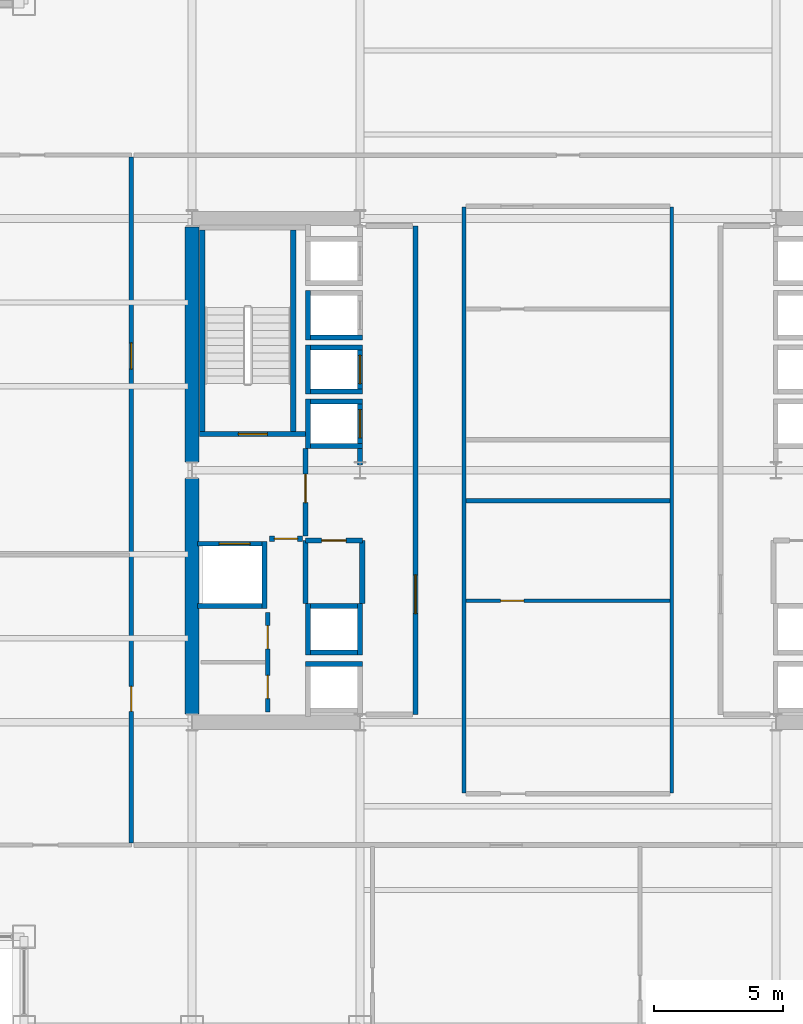
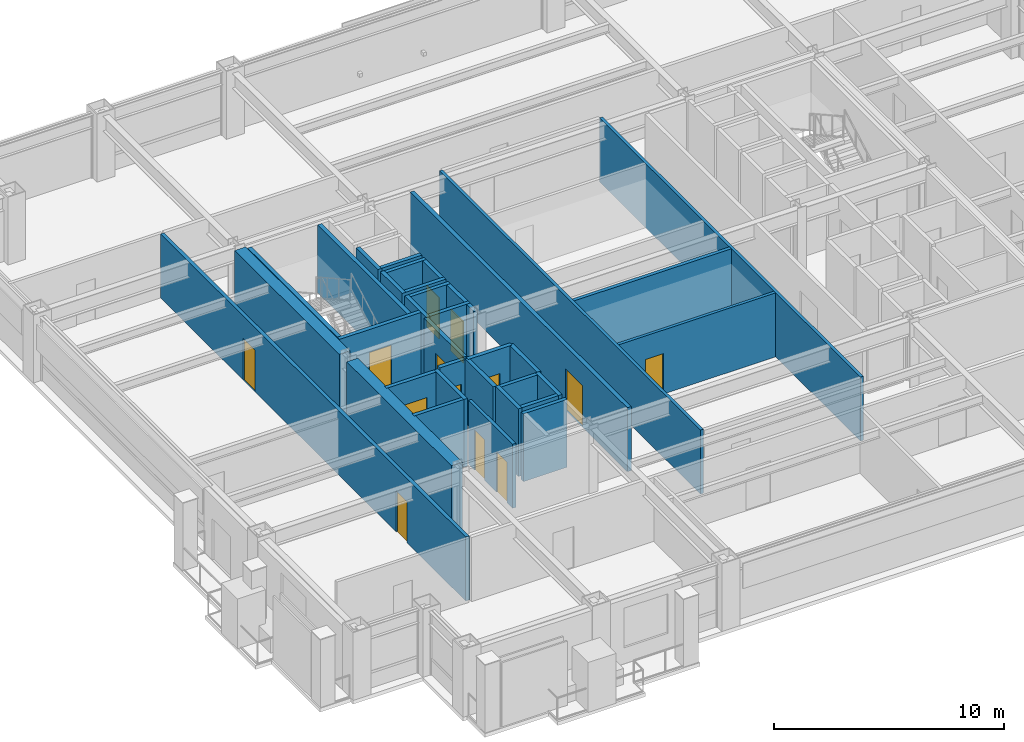
# One storey, part 23 of 29: 35 walls, 13 doors, 13 openings.
"""IFC4 building model written with IfcOpenShell, lengths in metres."""

import ifcopenshell
import ifcopenshell.guid

model = None  # the IFC model being written
_history = None  # IfcOwnerHistory: only IFC2X3 demands one
_inside = {}  # id of a spatial element -> (the spatial element, [elements in it])
_under = {}  # id of a project, library or spatial element -> (it, [spatial elements below it])
_declared = {}  # id of a project -> (the project, [libraries it declares])
_typed = {}  # id of a type object -> (the type object, [elements of that type])
_made_of = {}  # id of a material, layer set ... -> (it, [elements and type objects made of it])


def new_model(schema):
    """Start an empty IFC model of exactly this schema.

    Asked for "IFC4X3", IfcOpenShell would pick the latest addendum, in which some entities
    have other attributes; the version numbers below select the first issue.
    IFC2X3 requires an IfcOwnerHistory on every rooted entity: one is made here for all.
    """
    global model, _history
    if schema == "IFC4X3":
        model = ifcopenshell.file(schema_version=(4, 3, 0, 0))
    else:
        model = ifcopenshell.file(schema=schema)
    _inside.clear()
    _under.clear()
    _declared.clear()
    _typed.clear()
    _made_of.clear()
    _history = None
    if model.schema == "IFC2X3":
        org = make("IfcOrganization", Name="unknown")
        user = make(
            "IfcPersonAndOrganization",
            ThePerson=make("IfcPerson", FamilyName="unknown"),
            TheOrganization=org,
        )
        app = make(
            "IfcApplication",
            ApplicationDeveloper=org,
            Version="unknown",
            ApplicationFullName="unknown",
            ApplicationIdentifier="unknown",
        )
        _history = make(
            "IfcOwnerHistory",
            OwningUser=user,
            OwningApplication=app,
            ChangeAction="ADDED",
            CreationDate=0,
        )
    return model


def make(cls, **values):
    """One entity of the class cls with the attributes given. An attribute that is None is left unset."""
    return model.create_entity(
        cls, **{name: value for name, value in values.items() if value is not None}
    )


def rooted(cls, **values):
    """An entity with a GlobalId (a new one), such as an element, a storey or a relation."""
    return make(cls, GlobalId=ifcopenshell.guid.new(), OwnerHistory=_history, **values)


def si_unit(unit_type, name, prefix=None):
    """IfcSIUnit, for example si_unit("LENGTHUNIT", "METRE", prefix="MILLI")."""
    return make("IfcSIUnit", UnitType=unit_type, Prefix=prefix, Name=name)


def assignment(units):
    """IfcUnitAssignment: the units of a project."""
    return None if units is None else make("IfcUnitAssignment", Units=units)


def point(xyz):
    """IfcCartesianPoint."""
    return None if xyz is None else make("IfcCartesianPoint", Coordinates=xyz)


def direction(xyz):
    """IfcDirection."""
    return None if xyz is None else make("IfcDirection", DirectionRatios=xyz)


def frame(location, z_axis=None, x_axis=None):
    """IfcAxis2Placement3D, a coordinate frame: its origin and axes. An axis left out is left unset."""
    return make(
        "IfcAxis2Placement3D",
        Location=point(location),
        Axis=direction(z_axis),
        RefDirection=direction(x_axis),
    )


def frame_2d(location, x_axis=None):
    """IfcAxis2Placement2D, a coordinate frame in the plane: its origin and x axis."""
    return make(
        "IfcAxis2Placement2D", Location=point(location), RefDirection=direction(x_axis)
    )


def origin():
    """The frame at (0, 0, 0) with its axes left unset."""
    return frame((0.0, 0.0, 0.0))


def place(relative_to, where):
    """IfcLocalPlacement: puts the frame where relative to a parent placement (None: the world)."""
    return make(
        "IfcLocalPlacement", PlacementRelTo=relative_to, RelativePlacement=where
    )


def context(
    kind, dimensions, precision=None, world=None, true_north=None, identifier=None
):
    """IfcGeometricRepresentationContext, for example the 3D "Model" context."""
    return make(
        "IfcGeometricRepresentationContext",
        ContextIdentifier=identifier,
        ContextType=kind,
        CoordinateSpaceDimension=dimensions,
        Precision=precision,
        WorldCoordinateSystem=world,
        TrueNorth=true_north,
    )


def subcontext(parent, identifier, kind, view, scale=None):
    """IfcGeometricRepresentationSubContext, for example "Body" below "Model"."""
    return make(
        "IfcGeometricRepresentationSubContext",
        ContextIdentifier=identifier,
        ContextType=kind,
        ParentContext=parent,
        TargetScale=scale,
        TargetView=view,
    )


def project(units=None, contexts=None):
    """IfcProject with its units and contexts."""
    return rooted(
        "IfcProject",
        Name="project",
        RepresentationContexts=contexts,
        UnitsInContext=assignment(units),
    )


def spatial(cls, under=None, at=None, **own):
    """A site, building, storey or space (cls), placed at a placement, below another one or the project."""
    s = rooted(cls, ObjectPlacement=at, **own)
    if under is not None:
        _under.setdefault(under.id(), (under, []))[1].append(s)
    return s


def profile(cls, at=None, kind="AREA", **sizes):
    """A parametric profile (cls). Its sizes go by their IFC names, for example OverallWidth=200.0."""
    return make(cls, ProfileType=kind, Position=at, **sizes)


def rectangle(**sizes):
    """IfcRectangleProfileDef."""
    return profile("IfcRectangleProfileDef", **sizes)


def extrude(swept, where, along, depth):
    """IfcExtrudedAreaSolid: the profile swept, set in the frame where, extruded along a direction by depth."""
    return make(
        "IfcExtrudedAreaSolid",
        SweptArea=swept,
        Position=where,
        ExtrudedDirection=direction(along),
        Depth=depth,
    )


def shape(context_of_items, identifier, shape_type, items):
    """IfcShapeRepresentation: the items that make up one representation, for example the "Body"."""
    return make(
        "IfcShapeRepresentation",
        ContextOfItems=context_of_items,
        RepresentationIdentifier=identifier,
        RepresentationType=shape_type,
        Items=items,
    )


def material(Name=None, Category=None):
    """IfcMaterial."""
    return make("IfcMaterial", Name=Name, Category=Category)


def layer(
    of_material, thickness, ventilated=None, Name=None, Category=None, Priority=None
):
    """IfcMaterialLayer: one layer of a wall or slab, of a material (None: an air gap)."""
    return make(
        "IfcMaterialLayer",
        Material=of_material,
        LayerThickness=thickness,
        IsVentilated=ventilated,
        Name=Name,
        Category=Category,
        Priority=Priority,
    )


def layer_set(layers, Name=None):
    """IfcMaterialLayerSet."""
    return make("IfcMaterialLayerSet", MaterialLayers=layers, LayerSetName=Name)


def made_of(thing, what):
    """Note that an element or type object is made of a material, layer set ...; save() writes the relation."""
    if what is not None:
        _made_of.setdefault(what.id(), (what, []))[1].append(thing)
    return thing


def type_object(cls, material=None, **own):
    """A type object (cls), such as IfcWallType, which elements share."""
    return made_of(rooted(cls, **own), material)


def element(
    cls,
    number,
    at=None,
    inside=None,
    cuts=None,
    type_object=None,
    material=None,
    context=None,
    identifier="Body",
    shape_type=None,
    held_by="IfcProductDefinitionShape",
    body=None,
    shapes=None,
    **own,
):
    """One element of the class cls, such as IfcWall. Its Tag is "e" and its number.

    at: its placement. inside: the storey or other place that contains it. cuts: it is an
    opening in that element (IfcRelVoidsElement). A single representation is given by context,
    identifier, shape_type and body (its items); several are given by shapes. held_by: the class
    of the entity that holds the representations. save() writes the other relations.
    """
    e = rooted(cls, Tag="e%d" % number, ObjectPlacement=at, **own)
    if body is not None:
        shapes = [shape(context, identifier, shape_type, body)]
    if shapes is not None:
        e.Representation = make(held_by, Representations=shapes)
    if inside is not None:
        _inside.setdefault(inside.id(), (inside, []))[1].append(e)
    if cuts is not None:
        rooted(
            "IfcRelVoidsElement", RelatingBuildingElement=cuts, RelatedOpeningElement=e
        )
    if type_object is not None:
        _typed.setdefault(type_object.id(), (type_object, []))[1].append(e)
    return made_of(e, material)


def fill(opening, filler):
    """IfcRelFillsElement: the door or window that sits in an opening."""
    return rooted(
        "IfcRelFillsElement",
        RelatingOpeningElement=opening,
        RelatedBuildingElement=filler,
    )


def aggregate(whole, parts):
    """IfcRelAggregates: a whole, such as a stair, and the parts it consists of."""
    return rooted("IfcRelAggregates", RelatingObject=whole, RelatedObjects=parts)


def save(model, path):
    """Write the relations noted so far, then the file.

    IfcRelAggregates (storeys below a building ...), IfcRelContainedInSpatialStructure (elements
    in a storey), IfcRelDefinesByType, IfcRelAssociatesMaterial and IfcRelDeclares: one each for
    every whole, place, type object, material and project.
    """
    for whole, parts in _under.values():
        aggregate(whole, parts)
    for where, things in _inside.values():
        rooted(
            "IfcRelContainedInSpatialStructure",
            RelatedElements=things,
            RelatingStructure=where,
        )
    for kind, things in _typed.values():
        rooted("IfcRelDefinesByType", RelatedObjects=things, RelatingType=kind)
    for what, things in _made_of.values():
        rooted("IfcRelAssociatesMaterial", RelatedObjects=things, RelatingMaterial=what)
    for by, libraries in _declared.values():
        rooted("IfcRelDeclares", RelatingContext=by, RelatedDefinitions=libraries)
    model.write(path)


model = new_model("IFC4")

# Units and contexts
model_context = context("Model", 3, precision=1e-05, world=origin(), true_north=direction((0.0, 1.0)))
body_context = subcontext(model_context, "Body", "Model", "MODEL_VIEW")
ifc_project = project(units=[si_unit("LENGTHUNIT", "METRE"), si_unit("AREAUNIT", "SQUARE_METRE"), si_unit("VOLUMEUNIT", "CUBIC_METRE"), si_unit("PLANEANGLEUNIT", "RADIAN"), si_unit("MASSUNIT", "GRAM", prefix="KILO")], contexts=[model_context])

# Site, building, storey
site_placement = place(None, origin())
site = spatial("IfcSite", under=ifc_project, at=site_placement, CompositionType="ELEMENT")
building_placement = place(site_placement, origin())
building = spatial("IfcBuilding", under=site, at=building_placement, Name="Brelmoor Portico Tower", CompositionType="ELEMENT")
storey_placement = place(building_placement, frame((0.0, 0.0, 63.60009765625)))
storey = spatial("IfcBuildingStorey", under=building, at=storey_placement, Name="L16", CompositionType="ELEMENT", Elevation=63.60009765625)

# Walls
ifc_material_1 = material(Name="Concrete C60", Category="concrete")
ifc_layer_1 = layer(ifc_material_1, 0.550048828125)
ifc_layer_set_1 = layer_set([ifc_layer_1], Name="Concrete C60")
wall_type_1 = type_object("IfcWallType", Name="WL-CORE-550", PredefinedType="SHEAR", material=ifc_layer_set_1)
for number, where, z_axis, x_axis, name in (
    (1, (-14.550048828125, -9.425048828125, -0.2001953125), (0.0, 0.0, 1.0), (0.0, 1.0, 0.0), "L16 WC Outer South Shear Wall"),
    (2, (-14.550048828125, 0.324951171875, -0.2001953125), (0.0, 0.0, 1.0), (0.0, 1.0, 0.0), "L16 WC Outer North Shear Wall"),
):
    element("IfcWall", number, at=place(storey_placement, frame(where, z_axis=z_axis, x_axis=x_axis)), inside=storey, type_object=wall_type_1, Name=name, PredefinedType="SHEAR", context=body_context, shape_type="SweptSolid", body=[
        extrude(rectangle(XDim=9.10009765625, YDim=0.550048828125, at=frame_2d((4.550048828125, 0.0))), origin(), (0.0, 0.0, 1.0), 3.60009765625),
    ])
ifc_material_2 = material(Name="Wet-Area Moisture-Resistant Partition", Category="gypsum")
ifc_layer_2 = layer(ifc_material_2, 0.14990234375)
ifc_layer_set_2 = layer_set([ifc_layer_2], Name="Wet-Area Moisture-Resistant Partition")
wall_type_2 = type_object("IfcWallType", Name="WL-PART-150", PredefinedType="PARTITIONING", material=ifc_layer_set_2)
for number, where, z_axis, x_axis, name in (
    (3, (-4.02001953125, -12.5, 0.0), (0.0, 0.0, 1.0), (0.0, 1.0, 0.0), "L16 Central Suite West Wall"),
    (4, (4.02001953125, -12.5, 0.0), (0.0, 0.0, 1.0), (0.0, 1.0, 0.0), "L16 Central Suite East Wall"),
):
    element("IfcWall", number, at=place(storey_placement, frame(where, z_axis=z_axis, x_axis=x_axis)), inside=storey, type_object=wall_type_2, Name=name, PredefinedType="PARTITIONING", context=body_context, shape_type="SweptSolid", body=[
        extrude(rectangle(XDim=22.699951171875, YDim=0.14990234375, at=frame_2d((11.35009765625, 0.0))), origin(), (0.0, 0.0, 1.0), 3.39990234375),
    ])

# Wall, opening, door
wall_1_placement = place(storey_placement, frame((-3.949951171875, -5.050048828125, 0.0), z_axis=(0.0, 0.0, 1.0), x_axis=(1.0, 0.0, 0.0)))
wall_1 = element("IfcWall", 5, at=wall_1_placement, inside=storey, type_object=wall_type_2, Name="L16 Central Print Divider", PredefinedType="PARTITIONING", context=body_context, shape_type="SweptSolid", body=[
    extrude(rectangle(XDim=7.89990234375, YDim=0.14990234375, at=frame_2d((3.949951171875, 0.0))), origin(), (0.0, 0.0, 1.0), 3.39990234375),
])
opening_1_placement = place(wall_1_placement, frame((1.35009765625, 0.0, 0.0)))
opening_1 = element("IfcOpeningElement", 6, at=opening_1_placement, cuts=wall_1, Name="Opening D-IN1", PredefinedType="OPENING", context=body_context, shape_type="SweptSolid", body=[
    extrude(rectangle(XDim=0.89990234375, YDim=2.14990234375, at=frame_2d((0.449951171875, 1.074951171875))), frame((0.0, 0.0849609375, 0.0), z_axis=(0.0, -1.0, 0.0), x_axis=(1.0, 0.0, 0.0)), (0.0, 0.0, 1.0), 0.169921875),
])
ifc_material_3 = material(Name="Lacquered Timber Suite Door", Category="wood")
door_type_1 = type_object("IfcDoorType", Name="DR-INT-900", OperationType="NOTDEFINED", PredefinedType="DOOR", material=ifc_material_3)
door_1_placement = place(opening_1_placement, origin())
door_1 = element("IfcDoor", 7, at=door_1_placement, inside=storey, type_object=door_type_1, Name="D-0710 L16 Central Print Studio Door", OperationType="SINGLE_SWING_RIGHT", OverallHeight=2.14990234375, OverallWidth=0.89990234375, PredefinedType="DOOR", context=body_context, shape_type="SweptSolid", body=[
    extrude(rectangle(XDim=0.89990234375, YDim=2.14990234375, at=frame_2d((0.449951171875, 1.074951171875))), frame((0.0, 0.02490234375, 0.0), z_axis=(0.0, -1.0, 0.0), x_axis=(1.0, 0.0, 0.0)), (0.0, 0.0, 1.0), 0.050048828125),
])
fill(opening_1, door_1)

# Wall, openings, doors
ifc_material_4 = material(Name="Twin-Frame Acoustic Partition", Category="gypsum")
ifc_layer_3 = layer(ifc_material_4, 0.159912109375)
ifc_layer_set_3 = layer_set([ifc_layer_3], Name="Twin-Frame Acoustic Partition")
wall_type_3 = type_object("IfcWallType", Name="WL-PART-160", PredefinedType="PARTITIONING", material=ifc_layer_set_3)
wall_2_placement = place(storey_placement, frame((-11.6201171875, -9.35009765625, 0.0), z_axis=(0.0, 0.0, 1.0), x_axis=(0.0, 1.0, 0.0)))
wall_2 = element("IfcWall", 8, at=wall_2_placement, inside=storey, type_object=wall_type_3, Name="L16 W Core Service Front Wall", PredefinedType="PARTITIONING", context=body_context, shape_type="SweptSolid", body=[
    extrude(rectangle(XDim=3.85009765625, YDim=0.159912109375, at=frame_2d((1.925048828125, 0.0))), origin(), (0.0, 0.0, 1.0), 3.39990234375),
])
opening_2_placement = place(wall_2_placement, frame((0.512451171875, 0.0, 0.0)))
opening_2 = element("IfcOpeningElement", 9, at=opening_2_placement, cuts=wall_2, Name="Opening D-IN1", PredefinedType="OPENING", context=body_context, shape_type="SweptSolid", body=[
    extrude(rectangle(XDim=0.89990234375, YDim=2.14990234375, at=frame_2d((0.449951171875, 1.074951171875))), frame((0.0, 0.08984375, 0.0), z_axis=(0.0, -1.0, 0.0), x_axis=(1.0, 0.0, 0.0)), (0.0, 0.0, 1.0), 0.179931640625),
])
opening_3_placement = place(wall_2_placement, frame((2.4375, 0.0, 0.0)))
opening_3 = element("IfcOpeningElement", 10, at=opening_3_placement, cuts=wall_2, Name="Opening D-IN1", PredefinedType="OPENING", context=body_context, shape_type="SweptSolid", body=[
    extrude(rectangle(XDim=0.89990234375, YDim=2.14990234375, at=frame_2d((0.449951171875, 1.074951171875))), frame((0.0, 0.08984375, 0.0), z_axis=(0.0, -1.0, 0.0), x_axis=(1.0, 0.0, 0.0)), (0.0, 0.0, 1.0), 0.179931640625),
])
door_2_placement = place(opening_2_placement, origin())
door_2 = element("IfcDoor", 11, at=door_2_placement, inside=storey, type_object=door_type_1, Name="D-0715 L16 W Accessible WC Door", OperationType="SINGLE_SWING_RIGHT", OverallHeight=2.14990234375, OverallWidth=0.89990234375, PredefinedType="DOOR", context=body_context, shape_type="SweptSolid", body=[
    extrude(rectangle(XDim=0.89990234375, YDim=2.14990234375, at=frame_2d((0.449951171875, 1.074951171875))), frame((0.0, 0.02490234375, 0.0), z_axis=(0.0, -1.0, 0.0), x_axis=(1.0, 0.0, 0.0)), (0.0, 0.0, 1.0), 0.050048828125),
])
fill(opening_2, door_2)
door_3_placement = place(opening_3_placement, origin())
door_3 = element("IfcDoor", 12, at=door_3_placement, inside=storey, type_object=door_type_1, Name="D-0716 L16 W Staff WC Door", OperationType="SINGLE_SWING_LEFT", OverallHeight=2.14990234375, OverallWidth=0.89990234375, PredefinedType="DOOR", context=body_context, shape_type="SweptSolid", body=[
    extrude(rectangle(XDim=0.89990234375, YDim=2.14990234375, at=frame_2d((0.449951171875, 1.074951171875))), frame((0.0, 0.02490234375, 0.0), z_axis=(0.0, -1.0, 0.0), x_axis=(1.0, 0.0, 0.0)), (0.0, 0.0, 1.0), 0.050048828125),
])
fill(opening_3, door_3)

# Wall
ifc_material_5 = material(Name="Acoustic Corridor Fire Partition", Category="gypsum")
ifc_layer_4 = layer(ifc_material_5, 0.179931640625)
ifc_layer_set_4 = layer_set([ifc_layer_4], Name="Acoustic Corridor Fire Partition")
wall_type_4 = type_object("IfcWallType", Name="WL-PART-180", PredefinedType="PARTITIONING", material=ifc_layer_set_4)
wall_3_placement = place(storey_placement, frame((-3.949951171875, -1.179931640625, 0.0), z_axis=(0.0, 0.0, 1.0), x_axis=(1.0, 0.0, 0.0)))
element("IfcWall", 13, at=wall_3_placement, inside=storey, type_object=wall_type_4, Name="L16 Central Pantry North Wall", PredefinedType="PARTITIONING", context=body_context, shape_type="SweptSolid", body=[
    extrude(rectangle(XDim=7.89990234375, YDim=0.179931640625, at=frame_2d((3.949951171875, 0.0))), origin(), (0.0, 0.0, 1.0), 3.39990234375),
])

# Wall, openings, doors
wall_4_placement = place(storey_placement, frame((-16.89990234375, -14.419921875, 0.0), z_axis=(0.0, 0.0, 1.0), x_axis=(0.0, 1.0, 0.0)))
wall_4 = element("IfcWall", 14, at=wall_4_placement, inside=storey, type_object=wall_type_4, Name="L16 W Wing Corridor Wall", PredefinedType="PARTITIONING", context=body_context, shape_type="SweptSolid", body=[
    extrude(rectangle(XDim=26.5400390625, YDim=0.179931640625, at=frame_2d((13.27001953125, 0.0))), origin(), (0.0, 0.0, 1.0), 3.39990234375),
])
opening_4_placement = place(wall_4_placement, frame((5.093505859375, 0.0, 0.0)))
opening_4 = element("IfcOpeningElement", 15, at=opening_4_placement, cuts=wall_4, Name="Opening D-IN2", PredefinedType="OPENING", context=body_context, shape_type="SweptSolid", body=[
    extrude(rectangle(XDim=0.9599609375, YDim=2.179931640625, at=frame_2d((0.47998046875, 1.08984375))), frame((0.0, 0.099853515625, 0.0), z_axis=(0.0, -1.0, 0.0), x_axis=(1.0, 0.0, 0.0)), (0.0, 0.0, 1.0), 0.199951171875),
])
opening_5_placement = place(wall_4_placement, frame((18.33349609375, 0.0, 0.0)))
opening_5 = element("IfcOpeningElement", 16, at=opening_5_placement, cuts=wall_4, Name="Opening D-OF1", PredefinedType="OPENING", context=body_context, shape_type="SweptSolid", body=[
    extrude(rectangle(XDim=1.02001953125, YDim=2.199951171875, at=frame_2d((0.510009765625, 1.10009765625))), frame((0.0, 0.099853515625, 0.0), z_axis=(0.0, -1.0, 0.0), x_axis=(1.0, 0.0, 0.0)), (0.0, 0.0, 1.0), 0.199951171875),
])
door_type_2 = type_object("IfcDoorType", Name="DR-INT-950", OperationType="NOTDEFINED", PredefinedType="DOOR", material=ifc_material_3)
door_4_placement = place(opening_4_placement, origin())
door_4 = element("IfcDoor", 17, at=door_4_placement, inside=storey, type_object=door_type_2, Name="D-0744 L16 W Project Reception Concierge 1 Door", OperationType="SINGLE_SWING_LEFT", OverallHeight=2.179931640625, OverallWidth=0.9599609375, PredefinedType="DOOR", context=body_context, shape_type="SweptSolid", body=[
    extrude(rectangle(XDim=0.9599609375, YDim=2.179931640625, at=frame_2d((0.47998046875, 1.08984375))), frame((0.0, 0.02490234375, 0.0), z_axis=(0.0, -1.0, 0.0), x_axis=(1.0, 0.0, 0.0)), (0.0, 0.0, 1.0), 0.050048828125),
])
fill(opening_4, door_4)
ifc_material_6 = material(Name="Hardwood Acoustic Veneer Door", Category="wood")
door_type_3 = type_object("IfcDoorType", Name="DR-OFFICE-1000", OperationType="NOTDEFINED", PredefinedType="DOOR", material=ifc_material_6)
door_5_placement = place(opening_5_placement, origin())
door_5 = element("IfcDoor", 18, at=door_5_placement, inside=storey, type_object=door_type_3, Name="D-0745 L16 W Design Workshop 2 Door", OperationType="SINGLE_SWING_RIGHT", OverallHeight=2.199951171875, OverallWidth=1.02001953125, PredefinedType="DOOR", context=body_context, shape_type="SweptSolid", body=[
    extrude(rectangle(XDim=1.02001953125, YDim=2.199951171875, at=frame_2d((0.510009765625, 1.10009765625))), frame((0.0, 0.02490234375, 0.0), z_axis=(0.0, -1.0, 0.0), x_axis=(1.0, 0.0, 0.0)), (0.0, 0.0, 1.0), 0.050048828125),
])
fill(opening_5, door_5)

# Wall, opening, door
ifc_material_7 = material(Name="Double-Stud Gypsum Fire Partition", Category="gypsum")
ifc_layer_5 = layer(ifc_material_7, 0.199951171875)
ifc_layer_set_5 = layer_set([ifc_layer_5], Name="Double-Stud Gypsum Fire Partition")
wall_type_5 = type_object("IfcWallType", Name="WL-PART-200", PredefinedType="PARTITIONING", material=ifc_layer_set_5)
wall_5_placement = place(storey_placement, frame((-5.89990234375, -9.449951171875, 0.0), z_axis=(0.0, 0.0, 1.0), x_axis=(0.0, 1.0, 0.0)))
wall_5 = element("IfcWall", 19, at=wall_5_placement, inside=storey, type_object=wall_type_5, Name="L16 W Core Lobby Compartment Wall", PredefinedType="PARTITIONING", context=body_context, shape_type="SweptSolid", body=[
    extrude(rectangle(XDim=18.89990234375, YDim=0.199951171875, at=frame_2d((9.449951171875, 0.0))), origin(), (0.0, 0.0, 1.0), 3.39990234375),
])
opening_6_placement = place(wall_5_placement, frame((3.89990234375, 0.0, 0.0)))
opening_6 = element("IfcOpeningElement", 20, at=opening_6_placement, cuts=wall_5, Name="Opening D-LB1", PredefinedType="OPENING", context=body_context, shape_type="SweptSolid", body=[
    extrude(rectangle(XDim=1.5, YDim=2.199951171875, at=frame_2d((0.75, 1.10009765625))), frame((0.0, 0.10986328125, 0.0), z_axis=(0.0, -1.0, 0.0), x_axis=(1.0, 0.0, 0.0)), (0.0, 0.0, 1.0), 0.219970703125),
])
ifc_material_8 = material(Name="Double-Leaf Glazed Steel Fire Door", Category="steel")
door_type_4 = type_object("IfcDoorType", Name="DR-LOBBY-1500", OperationType="NOTDEFINED", PredefinedType="DOOR", material=ifc_material_8)
door_6_placement = place(opening_6_placement, origin())
door_6 = element("IfcDoor", 21, at=door_6_placement, inside=storey, type_object=door_type_4, Name="D-0722 L16 W Lift Lobby Main Door", OperationType="DOUBLE_DOOR_SINGLE_SWING", OverallHeight=2.199951171875, OverallWidth=1.5, PredefinedType="DOOR", context=body_context, shape_type="SweptSolid", body=[
    extrude(rectangle(XDim=1.5, YDim=2.199951171875, at=frame_2d((0.75, 1.10009765625))), frame((0.0, 0.02490234375, 0.0), z_axis=(0.0, -1.0, 0.0), x_axis=(1.0, 0.0, 0.0)), (0.0, 0.0, 1.0), 0.050048828125),
])
fill(opening_6, door_6)

wall_6_placement = place(storey_placement, frame((-10.159912109375, -2.550048828125, 0.0), z_axis=(0.0, 0.0, 1.0), x_axis=(0.0, 1.0, 0.0)))
wall_6 = element("IfcWall", 22, at=wall_6_placement, inside=storey, type_object=wall_type_5, Name="L16 W Firefighting Lobby Wall", PredefinedType="PARTITIONING", context=body_context, shape_type="SweptSolid", body=[
    extrude(rectangle(XDim=3.400146484375, YDim=0.199951171875, at=frame_2d((1.7001953125, 0.0))), origin(), (0.0, 0.0, 1.0), 3.39990234375),
])
opening_7_placement = place(wall_6_placement, frame((1.300048828125, 0.0, 0.0)))
opening_7 = element("IfcOpeningElement", 23, at=opening_7_placement, cuts=wall_6, Name="Opening D-FR1", PredefinedType="OPENING", context=body_context, shape_type="SweptSolid", body=[
    extrude(rectangle(XDim=1.10009765625, YDim=2.14990234375, at=frame_2d((0.550048828125, 1.074951171875))), frame((0.0, 0.10986328125, 0.0), z_axis=(0.0, -1.0, 0.0), x_axis=(1.0, 0.0, 0.0)), (0.0, 0.0, 1.0), 0.219970703125),
])
ifc_material_9 = material(Name="Painted Galvanised Steel Fire Door", Category="steel")
door_type_5 = type_object("IfcDoorType", Name="DR-FIRE-1100", OperationType="NOTDEFINED", PredefinedType="DOOR", material=ifc_material_9)
door_7_placement = place(opening_7_placement, origin())
door_7 = element("IfcDoor", 24, at=door_7_placement, inside=storey, type_object=door_type_5, Name="D-0720 L16 W Firefighting Lobby Door", OperationType="SINGLE_SWING_LEFT", OverallHeight=2.14990234375, OverallWidth=1.10009765625, PredefinedType="DOOR", context=body_context, shape_type="SweptSolid", body=[
    extrude(rectangle(XDim=1.10009765625, YDim=2.14990234375, at=frame_2d((0.550048828125, 1.074951171875))), frame((0.0, 0.02490234375, 0.0), z_axis=(0.0, -1.0, 0.0), x_axis=(1.0, 0.0, 0.0)), (0.0, 0.0, 1.0), 0.050048828125),
])
fill(opening_7, door_7)

wall_7_placement = place(storey_placement, frame((-10.280029296875, -2.64990234375, 0.0), z_axis=(0.0, 0.0, 1.0), x_axis=(-1.0, 0.0, 0.0)))
wall_7 = element("IfcWall", 25, at=wall_7_placement, inside=storey, type_object=wall_type_5, Name="L16 W Firefighting Lobby South Wall", PredefinedType="PARTITIONING", context=body_context, shape_type="SweptSolid", body=[
    extrude(rectangle(XDim=1.27001953125, YDim=0.199951171875, at=frame_2d((0.635009765625, 0.0))), origin(), (0.0, 0.0, 1.0), 3.39990234375),
])
opening_8_placement = place(wall_7_placement, frame((0.18505859375, 0.0, 0.0)))
opening_8 = element("IfcOpeningElement", 26, at=opening_8_placement, cuts=wall_7, Name="Opening D-IN1", PredefinedType="OPENING", context=body_context, shape_type="SweptSolid", body=[
    extrude(rectangle(XDim=0.89990234375, YDim=2.14990234375, at=frame_2d((0.449951171875, 1.074951171875))), frame((0.0, 0.10986328125, 0.0), z_axis=(0.0, -1.0, 0.0), x_axis=(1.0, 0.0, 0.0)), (0.0, 0.0, 1.0), 0.219970703125),
])
door_8_placement = place(opening_8_placement, origin())
door_8 = element("IfcDoor", 27, at=door_8_placement, inside=storey, type_object=door_type_1, Name="D-0714 L16 W Core Service Vestibule Door", OperationType="SINGLE_SWING_RIGHT", OverallHeight=2.14990234375, OverallWidth=0.89990234375, PredefinedType="DOOR", context=body_context, shape_type="SweptSolid", body=[
    extrude(rectangle(XDim=0.89990234375, YDim=2.14990234375, at=frame_2d((0.449951171875, 1.074951171875))), frame((0.0, 0.02490234375, 0.0), z_axis=(0.0, -1.0, 0.0), x_axis=(1.0, 0.0, 0.0)), (0.0, 0.0, 1.0), 0.050048828125),
])
fill(opening_8, door_8)

wall_8_placement = place(storey_placement, frame((-7.9599609375, -2.719970703125, 0.0), z_axis=(0.0, 0.0, 1.0), x_axis=(-1.0, 0.0, 0.0)))
wall_8 = element("IfcWall", 28, at=wall_8_placement, inside=storey, type_object=wall_type_5, Name="L16 W Electrical Switchgear Closet Wall", PredefinedType="PARTITIONING", context=body_context, shape_type="SweptSolid", body=[
    extrude(rectangle(XDim=2.199951171875, YDim=0.199951171875, at=frame_2d((1.10009765625, 0.0))), origin(), (0.0, 0.0, 1.0), 3.39990234375),
])
opening_9_placement = place(wall_8_placement, frame((0.6201171875, 0.0, 0.0)))
opening_9 = element("IfcOpeningElement", 29, at=opening_9_placement, cuts=wall_8, Name="Opening D-FR4", PredefinedType="OPENING", context=body_context, shape_type="SweptSolid", body=[
    extrude(rectangle(XDim=0.949951171875, YDim=2.10009765625, at=frame_2d((0.47509765625, 1.050048828125))), frame((0.0, 0.10986328125, 0.0), z_axis=(0.0, -1.0, 0.0), x_axis=(1.0, 0.0, 0.0)), (0.0, 0.0, 1.0), 0.219970703125),
])
ifc_material_10 = material(Name="Painted Galvanised Steel Riser Door", Category="steel")
door_type_6 = type_object("IfcDoorType", Name="DR-FIRE-950", OperationType="NOTDEFINED", PredefinedType="DOOR", material=ifc_material_10)
door_9_placement = place(opening_9_placement, origin())
door_9 = element("IfcDoor", 30, at=door_9_placement, inside=storey, type_object=door_type_6, Name="D-0718 L16 W Electrical Switchgear Closet Door", OperationType="SINGLE_SWING_LEFT", OverallHeight=2.10009765625, OverallWidth=0.949951171875, PredefinedType="DOOR", context=body_context, shape_type="SweptSolid", body=[
    extrude(rectangle(XDim=0.949951171875, YDim=2.10009765625, at=frame_2d((0.47509765625, 1.050048828125))), frame((0.0, 0.02490234375, 0.0), z_axis=(0.0, -1.0, 0.0), x_axis=(1.0, 0.0, 0.0)), (0.0, 0.0, 1.0), 0.050048828125),
])
fill(opening_9, door_9)

# Walls
for number, where, z_axis, x_axis, name in (
    (31, (-7.9599609375, -5.159912109375, 0.0), (0.0, 0.0, 1.0), (0.0, 1.0, 0.0), "L16 W Electrical Switchgear Closet Inner Wall"),
    (32, (-10.159912109375, -5.159912109375, 0.0), (0.0, 0.0, 1.0), (0.0, 1.0, 0.0), "L16 W Electrical Switchgear Closet Outer Wall"),
):
    element("IfcWall", number, at=place(storey_placement, frame(where, z_axis=z_axis, x_axis=x_axis)), inside=storey, type_object=wall_type_5, Name=name, PredefinedType="PARTITIONING", context=body_context, shape_type="SweptSolid", body=[
        extrude(rectangle(XDim=2.43994140625, YDim=0.199951171875, at=frame_2d((1.219970703125, 0.0))), origin(), (0.0, 0.0, 1.0), 3.39990234375),
    ])

# Wall, opening, door
ifc_material_11 = material(Name="Precast Concrete C40", Category="concrete")
ifc_layer_6 = layer(ifc_material_11, 0.18994140625)
ifc_layer_set_6 = layer_set([ifc_layer_6], Name="Precast Concrete C40")
wall_type_6 = type_object("IfcWallType", Name="WL-SHAFT-180", PredefinedType="SOLIDWALL", material=ifc_layer_set_6)
wall_9_placement = place(storey_placement, frame((-8.044921875, 0.2099609375, -0.2001953125), z_axis=(0.0, 0.0, 1.0), x_axis=(0.0, 1.0, 0.0)))
wall_9 = element("IfcWall", 33, at=wall_9_placement, inside=storey, type_object=wall_type_6, Name="L16 Lift PL1 Hoistway Front Wall", PredefinedType="SOLIDWALL", context=body_context, shape_type="SweptSolid", body=[
    extrude(rectangle(XDim=2.5400390625, YDim=0.18994140625, at=frame_2d((1.27001953125, 0.0))), origin(), (0.0, 0.0, 1.0), 3.60009765625),
])
opening_10_placement = place(wall_9_placement, frame((1.0400390625, 0.0, 0.199951171875)))
opening_10 = element("IfcOpeningElement", 34, at=opening_10_placement, cuts=wall_9, Name="Opening LD-01", PredefinedType="OPENING", context=body_context, shape_type="SweptSolid", body=[
    extrude(rectangle(XDim=1.10009765625, YDim=2.199951171875, at=frame_2d((0.550048828125, 1.10009765625))), frame((0.0, 0.10498046875, 0.0), z_axis=(0.0, -1.0, 0.0), x_axis=(1.0, 0.0, 0.0)), (0.0, 0.0, 1.0), 0.2099609375),
])
ifc_material_12 = material(Name="Brushed Stainless Steel Sliding Lift Door", Category="steel")
door_type_7 = type_object("IfcDoorType", Name="DR-LIFT-1100", OperationType="NOTDEFINED", PredefinedType="DOOR", material=ifc_material_12)
door_10_placement = place(opening_10_placement, origin())
door_10 = element("IfcDoor", 35, at=door_10_placement, inside=storey, type_object=door_type_7, Name="D-0749 L16 Lift PL1 Sliding Landing Door", OperationType="SLIDING_TO_LEFT", OverallHeight=2.199951171875, OverallWidth=1.10009765625, PredefinedType="DOOR", context=body_context, shape_type="SweptSolid", body=[
    extrude(rectangle(XDim=1.10009765625, YDim=2.199951171875, at=frame_2d((0.550048828125, 1.10009765625))), frame((0.0, 0.02490234375, 0.0), z_axis=(0.0, -1.0, 0.0), x_axis=(1.0, 0.0, 0.0)), (0.0, 0.0, 1.0), 0.050048828125),
])
fill(opening_10, door_10)

# Walls
wall_10_placement = place(storey_placement, frame((-10.054931640625, 0.85009765625, -0.2001953125), z_axis=(0.0, 0.0, 1.0), x_axis=(0.0, 1.0, 0.0)))
element("IfcWall", 36, at=wall_10_placement, inside=storey, type_object=wall_type_6, Name="L16 Lift PL1 Hoistway Back Wall", PredefinedType="SOLIDWALL", context=body_context, shape_type="SweptSolid", body=[
    extrude(rectangle(XDim=1.89990234375, YDim=0.18994140625, at=frame_2d((0.949951171875, 0.0))), origin(), (0.0, 0.0, 1.0), 3.60009765625),
])
for number, where, z_axis, x_axis, name in (
    (37, (-10.14990234375, 2.655029296875, -0.2001953125), (0.0, 0.0, 1.0), (1.0, 0.0, 0.0), "L16 Lift PL1 Hoistway North Wall"),
    (38, (-10.14990234375, 0.945068359375, -0.2001953125), (0.0, 0.0, 1.0), (1.0, 0.0, 0.0), "L16 Lift PL1 Hoistway South Wall"),
):
    element("IfcWall", number, at=place(storey_placement, frame(where, z_axis=z_axis, x_axis=x_axis)), inside=storey, type_object=wall_type_6, Name=name, PredefinedType="SOLIDWALL", context=body_context, shape_type="SweptSolid", body=[
        extrude(rectangle(XDim=2.199951171875, YDim=0.18994140625, at=frame_2d((1.10009765625, 0.0))), origin(), (0.0, 0.0, 1.0), 3.60009765625),
    ])

# Wall, opening, door
wall_11_placement = place(storey_placement, frame((-8.044921875, 2.949951171875, -0.2001953125), z_axis=(0.0, 0.0, 1.0), x_axis=(0.0, 1.0, 0.0)))
wall_11 = element("IfcWall", 39, at=wall_11_placement, inside=storey, type_object=wall_type_6, Name="L16 Lift PL2 Hoistway Front Wall", PredefinedType="SOLIDWALL", context=body_context, shape_type="SweptSolid", body=[
    extrude(rectangle(XDim=1.900146484375, YDim=0.18994140625, at=frame_2d((0.9501953125, 0.0))), origin(), (0.0, 0.0, 1.0), 3.60009765625),
])
opening_11_placement = place(wall_11_placement, frame((0.39990234375, 0.0, 0.199951171875)))
opening_11 = element("IfcOpeningElement", 40, at=opening_11_placement, cuts=wall_11, Name="Opening LD-01", PredefinedType="OPENING", context=body_context, shape_type="SweptSolid", body=[
    extrude(rectangle(XDim=1.10009765625, YDim=2.199951171875, at=frame_2d((0.550048828125, 1.10009765625))), frame((0.0, 0.10498046875, 0.0), z_axis=(0.0, -1.0, 0.0), x_axis=(1.0, 0.0, 0.0)), (0.0, 0.0, 1.0), 0.2099609375),
])
door_11_placement = place(opening_11_placement, origin())
door_11 = element("IfcDoor", 41, at=door_11_placement, inside=storey, type_object=door_type_7, Name="D-0750 L16 Lift PL2 Sliding Landing Door", OperationType="SLIDING_TO_LEFT", OverallHeight=2.199951171875, OverallWidth=1.10009765625, PredefinedType="DOOR", context=body_context, shape_type="SweptSolid", body=[
    extrude(rectangle(XDim=1.10009765625, YDim=2.199951171875, at=frame_2d((0.550048828125, 1.10009765625))), frame((0.0, 0.02490234375, 0.0), z_axis=(0.0, -1.0, 0.0), x_axis=(1.0, 0.0, 0.0)), (0.0, 0.0, 1.0), 0.050048828125),
])
fill(opening_11, door_11)

# Walls
wall_12_placement = place(storey_placement, frame((-10.054931640625, 2.949951171875, -0.2001953125), z_axis=(0.0, 0.0, 1.0), x_axis=(0.0, 1.0, 0.0)))
element("IfcWall", 42, at=wall_12_placement, inside=storey, type_object=wall_type_6, Name="L16 Lift PL2 Hoistway Back Wall", PredefinedType="SOLIDWALL", context=body_context, shape_type="SweptSolid", body=[
    extrude(rectangle(XDim=1.900146484375, YDim=0.18994140625, at=frame_2d((0.9501953125, 0.0))), origin(), (0.0, 0.0, 1.0), 3.60009765625),
])
for number, where, z_axis, x_axis, name in (
    (43, (-10.14990234375, 4.7548828125, -0.2001953125), (0.0, 0.0, 1.0), (1.0, 0.0, 0.0), "L16 Lift PL2 Hoistway North Wall"),
    (44, (-10.14990234375, 3.044921875, -0.2001953125), (0.0, 0.0, 1.0), (1.0, 0.0, 0.0), "L16 Lift PL2 Hoistway South Wall"),
):
    element("IfcWall", number, at=place(storey_placement, frame(where, z_axis=z_axis, x_axis=x_axis)), inside=storey, type_object=wall_type_6, Name=name, PredefinedType="SOLIDWALL", context=body_context, shape_type="SweptSolid", body=[
        extrude(rectangle(XDim=2.199951171875, YDim=0.18994140625, at=frame_2d((1.10009765625, 0.0))), origin(), (0.0, 0.0, 1.0), 3.60009765625),
    ])
wall_13_placement = place(storey_placement, frame((-10.054931640625, 5.050048828125, -0.2001953125), z_axis=(0.0, 0.0, 1.0), x_axis=(0.0, 1.0, 0.0)))
element("IfcWall", 45, at=wall_13_placement, inside=storey, type_object=wall_type_6, Name="L16 Lift PL3 Hoistway Back Wall", PredefinedType="SOLIDWALL", context=body_context, shape_type="SweptSolid", body=[
    extrude(rectangle(XDim=1.89990234375, YDim=0.18994140625, at=frame_2d((0.949951171875, 0.0))), origin(), (0.0, 0.0, 1.0), 3.60009765625),
])
for number, where, z_axis, x_axis, name in (
    (46, (-10.14990234375, 5.14501953125, -0.2001953125), (0.0, 0.0, 1.0), (1.0, 0.0, 0.0), "L16 Lift PL3 Hoistway South Wall"),
    (47, (-10.14990234375, -7.4951171875, -0.2001953125), (0.0, 0.0, 1.0), (1.0, 0.0, 0.0), "L16 Lift PH1 Hoistway North Wall"),
):
    element("IfcWall", number, at=place(storey_placement, frame(where, z_axis=z_axis, x_axis=x_axis)), inside=storey, type_object=wall_type_6, Name=name, PredefinedType="SOLIDWALL", context=body_context, shape_type="SweptSolid", body=[
        extrude(rectangle(XDim=2.199951171875, YDim=0.18994140625, at=frame_2d((1.10009765625, 0.0))), origin(), (0.0, 0.0, 1.0), 3.60009765625),
    ])
for number, where, z_axis, x_axis, name in (
    (48, (-8.044921875, -7.14990234375, -0.2001953125), (0.0, 0.0, 1.0), (0.0, 1.0, 0.0), "L16 Lift PH2 Hoistway Front Wall"),
    (49, (-10.054931640625, -7.14990234375, -0.2001953125), (0.0, 0.0, 1.0), (0.0, 1.0, 0.0), "L16 Lift PH2 Hoistway Back Wall"),
):
    element("IfcWall", number, at=place(storey_placement, frame(where, z_axis=z_axis, x_axis=x_axis)), inside=storey, type_object=wall_type_6, Name=name, PredefinedType="SOLIDWALL", context=body_context, shape_type="SweptSolid", body=[
        extrude(rectangle(XDim=2.0, YDim=0.18994140625, at=frame_2d((1.0, 0.0))), origin(), (0.0, 0.0, 1.0), 3.60009765625),
    ])
for number, where, z_axis, x_axis, name in (
    (50, (-10.14990234375, -5.2451171875, -0.2001953125), (0.0, 0.0, 1.0), (1.0, 0.0, 0.0), "L16 Lift PH2 Hoistway North Wall"),
    (51, (-10.14990234375, -7.054931640625, -0.2001953125), (0.0, 0.0, 1.0), (1.0, 0.0, 0.0), "L16 Lift PH2 Hoistway South Wall"),
):
    element("IfcWall", number, at=place(storey_placement, frame(where, z_axis=z_axis, x_axis=x_axis)), inside=storey, type_object=wall_type_6, Name=name, PredefinedType="SOLIDWALL", context=body_context, shape_type="SweptSolid", body=[
        extrude(rectangle(XDim=2.199951171875, YDim=0.18994140625, at=frame_2d((1.10009765625, 0.0))), origin(), (0.0, 0.0, 1.0), 3.60009765625),
    ])

# Wall, opening, door
wall_14_placement = place(storey_placement, frame((-14.330078125, -2.844970703125, -0.2001953125), z_axis=(0.0, 0.0, 1.0), x_axis=(1.0, 0.0, 0.0)))
wall_14 = element("IfcWall", 52, at=wall_14_placement, inside=storey, type_object=wall_type_6, Name="L16 Lift FF1 Hoistway Front Wall", PredefinedType="SOLIDWALL", context=body_context, shape_type="SweptSolid", body=[
    extrude(rectangle(XDim=2.68017578125, YDim=0.18994140625, at=frame_2d((1.340087890625, 0.0))), origin(), (0.0, 0.0, 1.0), 3.60009765625),
])
opening_12_placement = place(wall_14_placement, frame((0.830078125, 0.0, 0.199951171875)))
opening_12 = element("IfcOpeningElement", 53, at=opening_12_placement, cuts=wall_14, Name="Opening LD-02", PredefinedType="OPENING", context=body_context, shape_type="SweptSolid", body=[
    extrude(rectangle(XDim=1.199951171875, YDim=2.199951171875, at=frame_2d((0.60009765625, 1.10009765625))), frame((0.0, 0.10498046875, 0.0), z_axis=(0.0, -1.0, 0.0), x_axis=(1.0, 0.0, 0.0)), (0.0, 0.0, 1.0), 0.2099609375),
])
ifc_material_13 = material(Name="Brushed Stainless Steel Firefighting Lift Door", Category="steel")
door_type_8 = type_object("IfcDoorType", Name="DR-LIFT-1200", OperationType="NOTDEFINED", PredefinedType="DOOR", material=ifc_material_13)
door_12_placement = place(opening_12_placement, origin())
door_12 = element("IfcDoor", 54, at=door_12_placement, inside=storey, type_object=door_type_8, Name="D-0747 L16 Lift FF1 Sliding Landing Door", OperationType="SLIDING_TO_LEFT", OverallHeight=2.199951171875, OverallWidth=1.199951171875, PredefinedType="DOOR", context=body_context, shape_type="SweptSolid", body=[
    extrude(rectangle(XDim=1.199951171875, YDim=2.199951171875, at=frame_2d((0.60009765625, 1.10009765625))), frame((0.0, 0.02490234375, 0.0), z_axis=(0.0, -1.0, 0.0), x_axis=(1.0, 0.0, 0.0)), (0.0, 0.0, 1.0), 0.050048828125),
])
fill(opening_12, door_12)

# Walls
wall_15_placement = place(storey_placement, frame((-14.330078125, -5.2548828125, -0.2001953125), z_axis=(0.0, 0.0, 1.0), x_axis=(1.0, 0.0, 0.0)))
element("IfcWall", 55, at=wall_15_placement, inside=storey, type_object=wall_type_6, Name="L16 Firefighting Lift FF1 South Wall", PredefinedType="SOLIDWALL", context=body_context, shape_type="SweptSolid", body=[
    extrude(rectangle(XDim=2.68017578125, YDim=0.18994140625, at=frame_2d((1.340087890625, 0.0))), origin(), (0.0, 0.0, 1.0), 3.60009765625),
])
wall_16_placement = place(storey_placement, frame((-11.7451171875, -5.35009765625, -0.2001953125), z_axis=(0.0, 0.0, 1.0), x_axis=(0.0, 1.0, 0.0)))
element("IfcWall", 56, at=wall_16_placement, inside=storey, type_object=wall_type_6, Name="L16 Firefighting Lift FF1 Inner Wall", PredefinedType="SOLIDWALL", context=body_context, shape_type="SweptSolid", body=[
    extrude(rectangle(XDim=2.60009765625, YDim=0.18994140625, at=frame_2d((1.300048828125, 0.0))), origin(), (0.0, 0.0, 1.0), 3.60009765625),
])
ifc_material_14 = material(Name="Concrete C40", Category="concrete")
ifc_layer_7 = layer(ifc_material_14, 0.199951171875)
ifc_layer_set_7 = layer_set([ifc_layer_7], Name="Concrete C40")
wall_type_7 = type_object("IfcWallType", Name="WL-SHAFT-RC200", PredefinedType="SOLIDWALL", material=ifc_layer_set_7)
wall_17_placement = place(storey_placement, frame((-14.14990234375, 1.5, -0.2001953125), z_axis=(0.0, 0.0, 1.0), x_axis=(0.0, 1.0, 0.0)))
element("IfcWall", 57, at=wall_17_placement, inside=storey, type_object=wall_type_7, Name="L16 ST-W Structural Stair Wall Outer", PredefinedType="SOLIDWALL", context=body_context, shape_type="SweptSolid", body=[
    extrude(rectangle(XDim=7.800048828125, YDim=0.199951171875, at=frame_2d((3.89990234375, 0.0))), origin(), (0.0, 0.0, 1.0), 3.60009765625),
])

# Wall, opening, door
wall_18_placement = place(storey_placement, frame((-14.25, 1.39990234375, -0.2001953125), z_axis=(0.0, 0.0, 1.0), x_axis=(1.0, 0.0, 0.0)))
wall_18 = element("IfcWall", 58, at=wall_18_placement, inside=storey, type_object=wall_type_7, Name="L16 ST-W Structural Stair Wall S", PredefinedType="SOLIDWALL", context=body_context, shape_type="SweptSolid", body=[
    extrude(rectangle(XDim=4.10009765625, YDim=0.199951171875, at=frame_2d((2.050048828125, 0.0))), origin(), (0.0, 0.0, 1.0), 3.60009765625),
])
opening_13_placement = place(wall_18_placement, frame((1.5, 0.0, 0.199951171875)))
opening_13 = element("IfcOpeningElement", 59, at=opening_13_placement, cuts=wall_18, Name="Opening D-ST1", PredefinedType="OPENING", context=body_context, shape_type="SweptSolid", body=[
    extrude(rectangle(XDim=1.1201171875, YDim=2.179931640625, at=frame_2d((0.56005859375, 1.08984375))), frame((0.0, 0.10986328125, 0.0), z_axis=(0.0, -1.0, 0.0), x_axis=(1.0, 0.0, 0.0)), (0.0, 0.0, 1.0), 0.219970703125),
])
door_type_9 = type_object("IfcDoorType", Name="DR-STAIR-1100", OperationType="NOTDEFINED", PredefinedType="DOOR", material=ifc_material_9)
door_13_placement = place(opening_13_placement, origin())
door_13 = element("IfcDoor", 60, at=door_13_placement, inside=storey, type_object=door_type_9, Name="D-0734 L16 ST-W Protected Exit Stair Door", OperationType="SINGLE_SWING_LEFT", OverallHeight=2.179931640625, OverallWidth=1.1201171875, PredefinedType="DOOR", context=body_context, shape_type="SweptSolid", body=[
    extrude(rectangle(XDim=1.1201171875, YDim=2.179931640625, at=frame_2d((0.56005859375, 1.08984375))), frame((0.0, 0.02490234375, 0.0), z_axis=(0.0, -1.0, 0.0), x_axis=(1.0, 0.0, 0.0)), (0.0, 0.0, 1.0), 0.050048828125),
])
fill(opening_13, door_13)

# Wall
wall_19_placement = place(storey_placement, frame((-10.6298828125, 1.5, -0.2001953125), z_axis=(0.0, 0.0, 1.0), x_axis=(0.0, 1.0, 0.0)))
element("IfcWall", 61, at=wall_19_placement, inside=storey, type_object=wall_type_7, Name="L16 ST-W Structural Stair Wall Inner", PredefinedType="SOLIDWALL", context=body_context, shape_type="SweptSolid", body=[
    extrude(rectangle(XDim=7.800048828125, YDim=0.199951171875, at=frame_2d((3.89990234375, 0.0))), origin(), (0.0, 0.0, 1.0), 3.60009765625),
])

save(model, "model.ifc")
